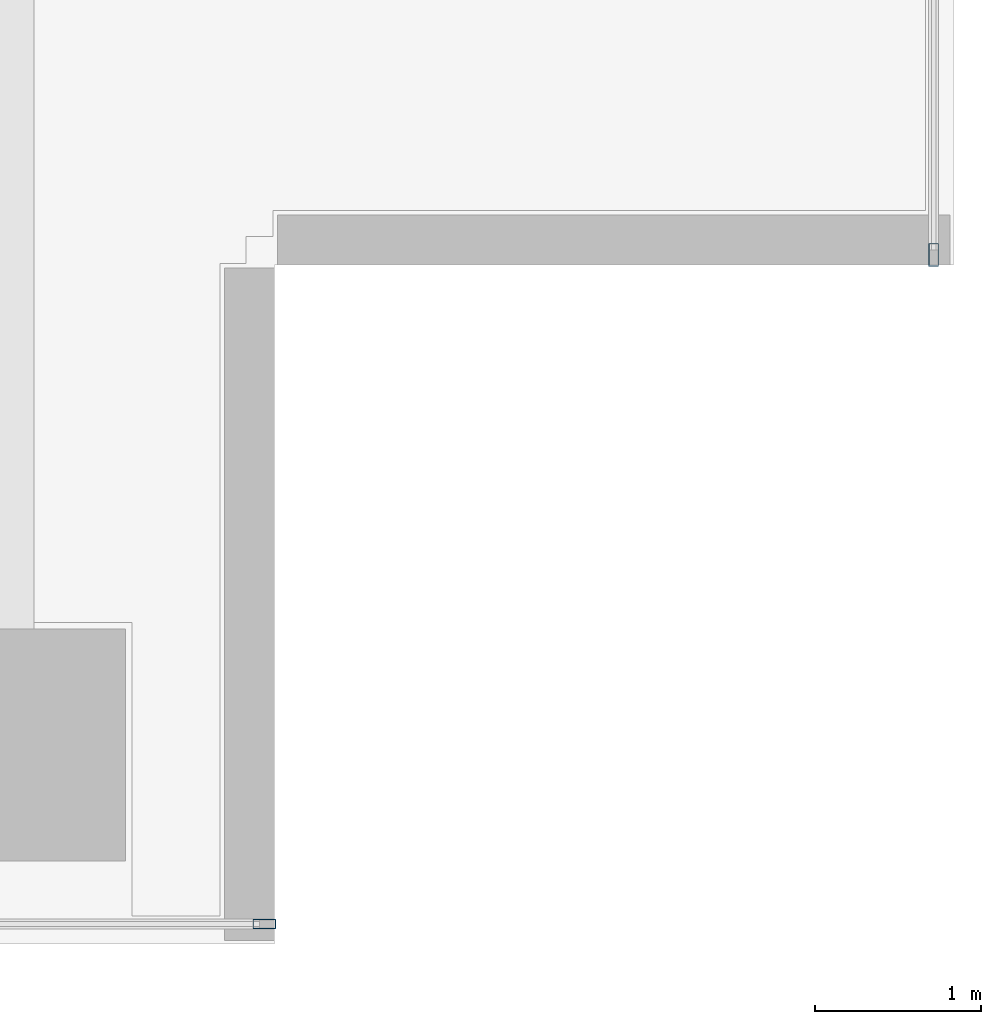
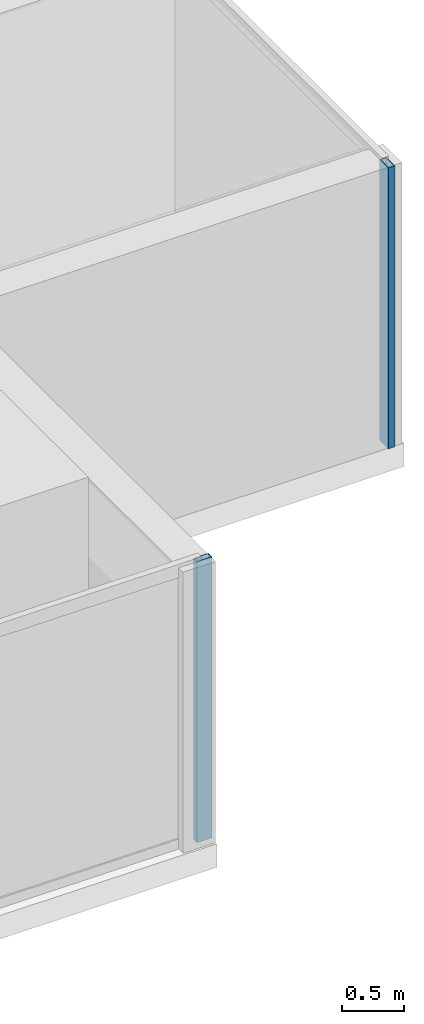
# One storey, part 11 of 26: 2 members, 2 elements without a shape of their own.
"""IFC4 building model written with IfcOpenShell, lengths in metres."""

from ifc_helpers import new_model, si_unit, direction, frame, origin, origin_2d, place, context, subcontext, project, spatial, hollow_rectangle, extrude, source, transform, mapped, material, layer, layer_set, material_profile, profile_set, type_object, element, aggregate, save


model = new_model("IFC4")

# Units and contexts
model_context = context("Model", 3, precision=1e-05, world=origin(), true_north=direction((0.0, 1.0)))
body_context = subcontext(model_context, "Body", "Model", "MODEL_VIEW")
ifc_project = project(units=[si_unit("LENGTHUNIT", "METRE"), si_unit("AREAUNIT", "SQUARE_METRE"), si_unit("VOLUMEUNIT", "CUBIC_METRE"), si_unit("PLANEANGLEUNIT", "RADIAN"), si_unit("MASSUNIT", "GRAM", prefix="KILO")], contexts=[model_context])

# Site, building, storey
site_placement = place(None, origin())
site = spatial("IfcSite", under=ifc_project, at=site_placement, CompositionType="ELEMENT")
building_placement = place(site_placement, origin())
building = spatial("IfcBuilding", under=site, at=building_placement, Name="Sumidabori Civic Tower", CompositionType="ELEMENT")
storey_placement = place(building_placement, frame((0.0, 0.0, 264.800048828125)))
storey = spatial("IfcBuildingStorey", under=building, at=storey_placement, Name="L69", CompositionType="ELEMENT", Elevation=264.800048828125)

# Curtain wall, member
ifc_material = material(Name="Anodised Bronze Aluminium AW-6063-T6", Category="aluminium")
ifc_layer = layer(ifc_material, 0.179931640625, Name="Anodised Bronze Aluminium AW-6063-T6")
ifc_layer_set = layer_set([ifc_layer], Name="Anodised Bronze Aluminium AW-6063-T6")
curtain_wall_type = type_object("IfcCurtainWallType", Name="CW-SYS-5", PredefinedType="NOTDEFINED", material=ifc_layer_set)
curtain_wall_1_placement = place(storey_placement, origin())
curtain_wall_1 = element("IfcCurtainWall", 1, at=curtain_wall_1_placement, inside=storey, type_object=curtain_wall_type, Name="Curtain Wall CW:L69:R01", PredefinedType="NOTDEFINED")
ifc_material_profile = material_profile(ifc_material, hollow_rectangle(XDim=0.06005859375, YDim=0.139892578125, WallThickness=0.0048828125, at=origin_2d()), Name="ALU MULLION 140x60")
ifc_profile_set = profile_set([ifc_material_profile], Name="Anodised Bronze Aluminium AW-6063-T6")
member_type = type_object("IfcMemberType", Name="CW-MUL-140", PredefinedType="MULLION", material=ifc_profile_set)
shared_shape = source(origin(), body_context, "Body", "SweptSolid", [
    extrude(hollow_rectangle(XDim=0.06005859375, YDim=0.139892578125, WallThickness=0.0048828125, at=origin_2d()), origin(), (0.0, 0.0, 1.0), 2.75),
])
member_1_placement = place(storey_placement, frame((18.340087890625, -11.8798828125, 0.0), z_axis=(0.0, 0.0, 1.0), x_axis=(0.0, 1.0, 0.0)))
member_1 = element("IfcMember", 2, at=member_1_placement, type_object=member_type, Name="CW-5 mullion 5", PredefinedType="MULLION", context=body_context, shape_type="MappedRepresentation", body=[
    mapped(shared_shape, transform((0.0, 0.0, 0.0), x_axis=(1.0, 0.0, 0.0), y_axis=(0.0, 1.0, 0.0), z_axis=(0.0, 0.0, 1.0), scale=1.0)),
])
aggregate(curtain_wall_1, [member_1])

curtain_wall_2_placement = place(storey_placement, origin())
curtain_wall_2 = element("IfcCurtainWall", 3, at=curtain_wall_2_placement, inside=storey, type_object=curtain_wall_type, Name="Curtain Wall CW:L69:R04", PredefinedType="NOTDEFINED")
member_2_placement = place(storey_placement, frame((22.3798828125, -7.840087890625, 0.0), z_axis=(0.0, 0.0, 1.0), x_axis=(-1.0, 0.0, 0.0)))
member_2 = element("IfcMember", 4, at=member_2_placement, type_object=member_type, Name="CW-5 mullion 1", PredefinedType="MULLION", context=body_context, shape_type="MappedRepresentation", body=[
    mapped(shared_shape, transform((0.0, 0.0, 0.0), x_axis=(1.0, 0.0, 0.0), y_axis=(0.0, 1.0, 0.0), z_axis=(0.0, 0.0, 1.0), scale=1.0)),
])
aggregate(curtain_wall_2, [member_2])

save(model, "model.ifc")
